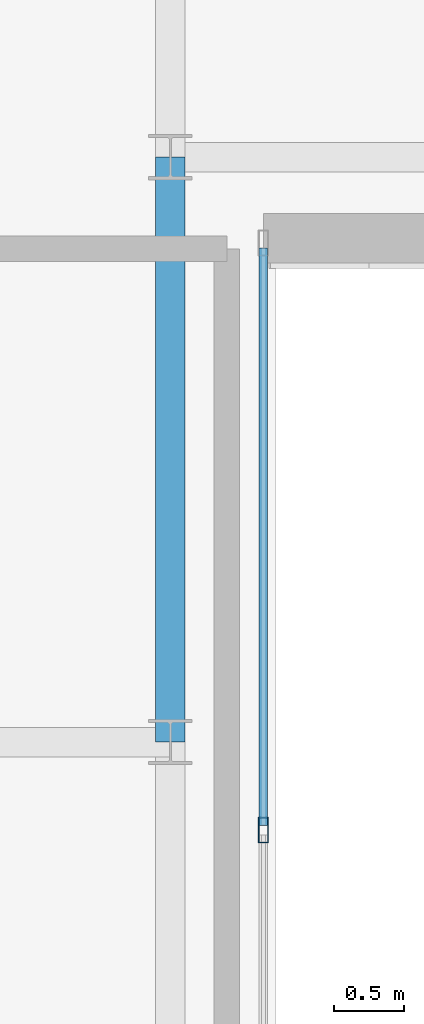
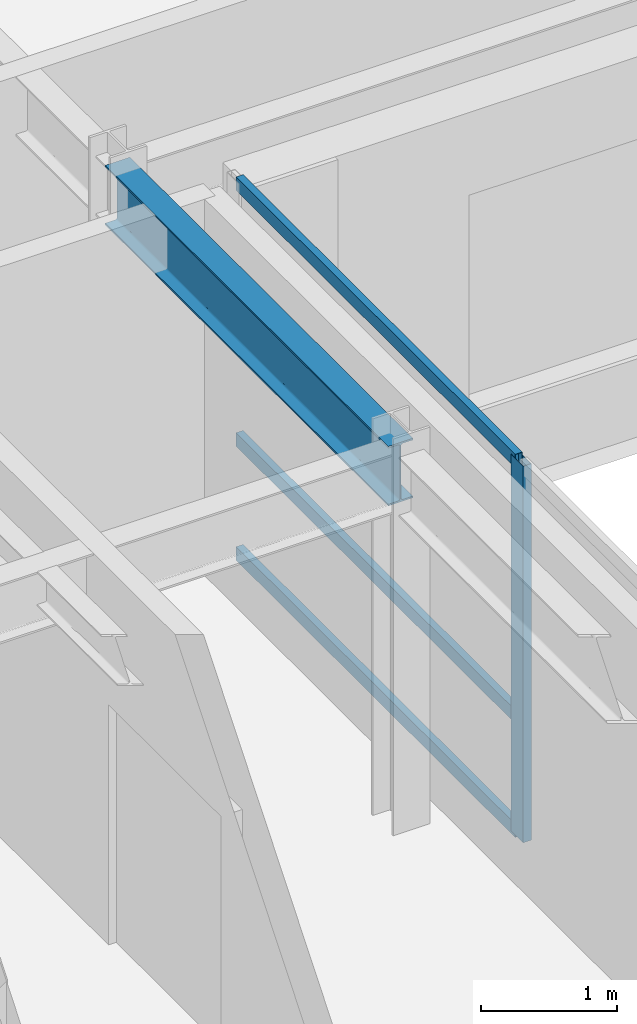
# One storey, part 6 of 20: 4 members, 1 beam, 1 element without a shape of its own.
"""IFC4 building model written with IfcOpenShell, lengths in metres."""

from ifc_helpers import new_model, si_unit, direction, frame, origin, origin_2d, place, context, subcontext, project, spatial, hollow_rectangle, i_section, extrude, source, transform, mapped, material, layer, layer_set, material_profile, profile_set, type_object, type_shapes, element, aggregate, save


model = new_model("IFC4")

# Units and contexts
model_context = context("Model", 3, precision=1e-05, world=origin(), true_north=direction((0.0, 1.0)))
body_context = subcontext(model_context, "Body", "Model", "MODEL_VIEW")
ifc_project = project(units=[si_unit("LENGTHUNIT", "METRE"), si_unit("AREAUNIT", "SQUARE_METRE"), si_unit("VOLUMEUNIT", "CUBIC_METRE"), si_unit("PLANEANGLEUNIT", "RADIAN"), si_unit("MASSUNIT", "GRAM", prefix="KILO")], contexts=[model_context])

# Site, building, storey
site_placement = place(None, origin())
site = spatial("IfcSite", under=ifc_project, at=site_placement, CompositionType="ELEMENT")
building_placement = place(site_placement, origin())
building = spatial("IfcBuilding", under=site, at=building_placement, Name="Tolvann Quenvar Hotel", CompositionType="ELEMENT")
storey_placement = place(building_placement, frame((0.0, 0.0, 248.75)))
storey = spatial("IfcBuildingStorey", under=building, at=storey_placement, Name="L66", CompositionType="ELEMENT", Elevation=248.75)

# Beam
ifc_material_1 = material(Name="Steel Grade 350", Category="steel")
ifc_material_profile_1 = material_profile(ifc_material_1, i_section(OverallWidth=0.208984375, OverallDepth=0.532958984375, WebThickness=0.01025390625, FlangeThickness=0.015625, FilletRadius=0.013916015625, at=origin_2d()), Name="530UB92")
ifc_profile_set_1 = profile_set([ifc_material_profile_1], Name="Steel Grade 350")
beam_type = type_object("IfcBeamType", Name="BM_GIRD_530UB92", PredefinedType="BEAM", material=ifc_profile_set_1)
shared_shape_1 = source(origin(), body_context, "Body", "SweptSolid", [
    extrude(i_section(OverallWidth=0.208984375, OverallDepth=0.532958984375, WebThickness=0.01025390625, FlangeThickness=0.015625, FilletRadius=0.013916015625, at=origin_2d()), origin(), (0.0, 0.0, 1.0), 4.14990234375),
])
type_shapes(beam_type, [shared_shape_1])
beam_placement = place(storey_placement, frame((14.449951171875, 16.0, 3.103515625), z_axis=(0.0, 1.0, 0.0), x_axis=(-1.0, 0.0, 0.0)))
element("IfcBeam", 1, at=beam_placement, inside=storey, type_object=beam_type, Name="BM-L66-NS-D4-D4P", PredefinedType="BEAM", context=body_context, shape_type="MappedRepresentation", body=[
    mapped(shared_shape_1, transform((0.0, 0.0, 0.0), x_axis=(1.0, 0.0, 0.0), y_axis=(0.0, 1.0, 0.0), z_axis=(0.0, 0.0, 1.0), scale=1.0)),
])

# Curtain wall, members
ifc_material_2 = material(Name="Thermally broken anodised architectural aluminium 6063-T6 and laminated low-E glass", Category="aluminium")
ifc_layer = layer(ifc_material_2, 0.179931640625)
ifc_layer_set = layer_set([ifc_layer], Name="Thermally broken anodised architectural aluminium 6063-T6 and laminated low-E glass")
curtain_wall_type = type_object("IfcCurtainWallType", Name="CW_SYS_PORTAL_05", PredefinedType="USERDEFINED", material=ifc_layer_set)
curtain_wall_placement = place(storey_placement, origin())
curtain_wall = element("IfcCurtainWall", 2, at=curtain_wall_placement, inside=storey, type_object=curtain_wall_type, Name="Curtain Wall CW-PORTAL-05 (CWR-L66-E05)", ObjectType="UNITISED CURTAIN WALL", PredefinedType="USERDEFINED")
ifc_material_3 = material(Name="Anodised architectural aluminium 6063-T6 framing", Category="aluminium")
ifc_material_profile_2 = material_profile(ifc_material_3, hollow_rectangle(XDim=0.070068359375, YDim=0.179931640625, WallThickness=0.00390625, at=origin_2d()), Name="180x70x4RHS")
ifc_profile_set_2 = profile_set([ifc_material_profile_2], Name="Anodised architectural aluminium 6063-T6 framing")
member_type_1 = type_object("IfcMemberType", Name="CW_MULL_180x70", PredefinedType="MULLION", material=ifc_profile_set_2)
shared_shape_2 = source(origin(), body_context, "Body", "SweptSolid", [
    extrude(hollow_rectangle(XDim=0.070068359375, YDim=0.179931640625, WallThickness=0.00390625, at=origin_2d()), origin(), (0.0, 0.0, 1.0), 3.3701171875),
])
type_shapes(member_type_1, [shared_shape_2])
member_1_placement = place(storey_placement, frame((15.110107421875, 15.375, 0.0), z_axis=(0.0, 0.0, 1.0), x_axis=(-1.0, 0.0, 0.0)))
member_1 = element("IfcMember", 3, at=member_1_placement, type_object=member_type_1, Name="CW-PORTAL-05 mullion 4", PredefinedType="MULLION", context=body_context, shape_type="MappedRepresentation", body=[
    mapped(shared_shape_2, transform((0.0, 0.0, 0.0), x_axis=(1.0, 0.0, 0.0), y_axis=(0.0, 1.0, 0.0), z_axis=(0.0, 0.0, 1.0), scale=1.0)),
])
ifc_material_profile_3 = material_profile(ifc_material_3, hollow_rectangle(XDim=0.06005859375, YDim=0.1201171875, WallThickness=0.00341796875, at=origin_2d()), Name="120x60x3.5RHS")
ifc_profile_set_3 = profile_set([ifc_material_profile_3], Name="Anodised architectural aluminium 6063-T6 framing")
member_type_2 = type_object("IfcMemberType", Name="CW_TRAN_120x60", PredefinedType="USERDEFINED", material=ifc_profile_set_3)
shared_shape_3 = source(origin(), body_context, "Body", "SweptSolid", [
    extrude(hollow_rectangle(XDim=0.06005859375, YDim=0.1201171875, WallThickness=0.00341796875, at=origin_2d()), origin(), (0.0, 0.0, 1.0), 4.094970703125),
])
type_shapes(member_type_2, [shared_shape_3])
member_2_placement = place(storey_placement, frame((15.110107421875, 15.409912109375, 0.030029296875), z_axis=(0.0, 1.0, 0.0), x_axis=(-1.0, 0.0, 0.0)))
member_2 = element("IfcMember", 4, at=member_2_placement, type_object=member_type_2, Name="CW-PORTAL-05 transom 4.1", ObjectType="TRANSOM", PredefinedType="USERDEFINED", context=body_context, shape_type="MappedRepresentation", body=[
    mapped(shared_shape_3, transform((0.0, 0.0, 0.0), x_axis=(1.0, 0.0, 0.0), y_axis=(0.0, 1.0, 0.0), z_axis=(0.0, 0.0, 1.0), scale=1.0)),
])
member_3_placement = place(storey_placement, frame((15.110107421875, 15.409912109375, 1.050048828125), z_axis=(0.0, 1.0, 0.0), x_axis=(-1.0, 0.0, 0.0)))
member_3 = element("IfcMember", 5, at=member_3_placement, type_object=member_type_2, Name="CW-PORTAL-05 transom 4.2", ObjectType="TRANSOM", PredefinedType="USERDEFINED", context=body_context, shape_type="MappedRepresentation", body=[
    mapped(shared_shape_3, transform((0.0, 0.0, 0.0), x_axis=(1.0, 0.0, 0.0), y_axis=(0.0, 1.0, 0.0), z_axis=(0.0, 0.0, 1.0), scale=1.0)),
])
member_4_placement = place(storey_placement, frame((15.110107421875, 15.409912109375, 3.340087890625), z_axis=(0.0, 1.0, 0.0), x_axis=(-1.0, 0.0, 0.0)))
member_4 = element("IfcMember", 6, at=member_4_placement, type_object=member_type_2, Name="CW-PORTAL-05 transom 4.3", ObjectType="TRANSOM", PredefinedType="USERDEFINED", context=body_context, shape_type="MappedRepresentation", body=[
    mapped(shared_shape_3, transform((0.0, 0.0, 0.0), x_axis=(1.0, 0.0, 0.0), y_axis=(0.0, 1.0, 0.0), z_axis=(0.0, 0.0, 1.0), scale=1.0)),
])
aggregate(curtain_wall, [member_1, member_2, member_3, member_4])

save(model, "model.ifc")
